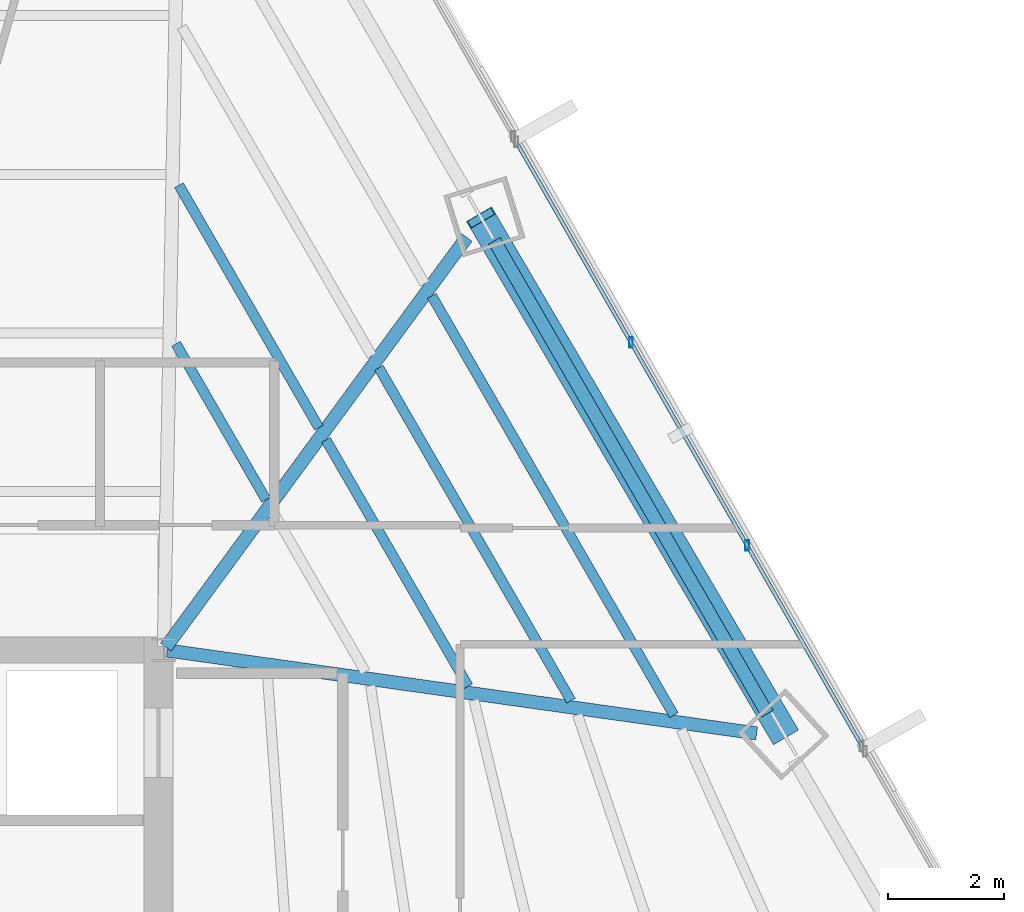
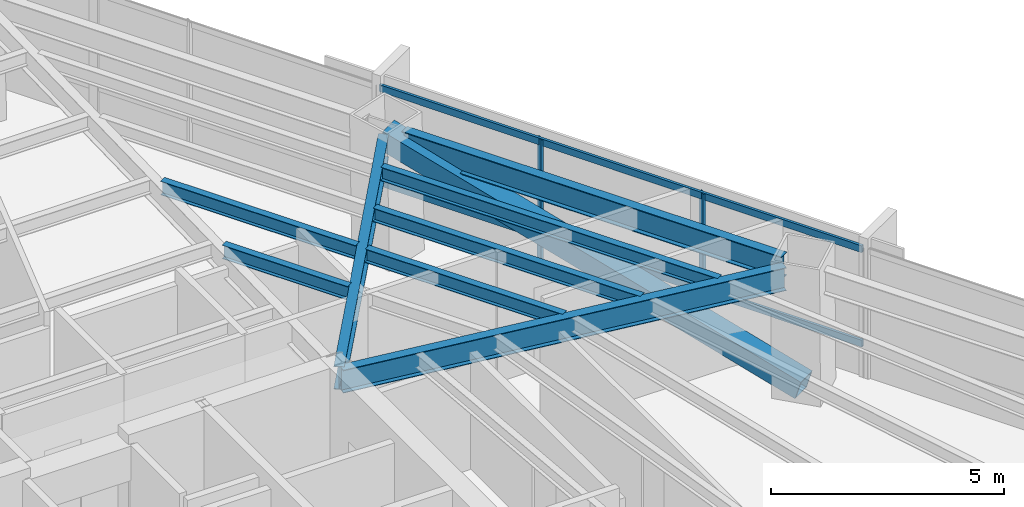
# One storey, part 22 of 35: 8 beams, 5 members, 1 element without a shape of its own.
"""IFC4 building model written with IfcOpenShell, lengths in metres."""

import ifcopenshell
import ifcopenshell.guid

model = None  # the IFC model being written
_history = None  # IfcOwnerHistory: only IFC2X3 demands one
_inside = {}  # id of a spatial element -> (the spatial element, [elements in it])
_under = {}  # id of a project, library or spatial element -> (it, [spatial elements below it])
_declared = {}  # id of a project -> (the project, [libraries it declares])
_typed = {}  # id of a type object -> (the type object, [elements of that type])
_made_of = {}  # id of a material, layer set ... -> (it, [elements and type objects made of it])


def new_model(schema):
    """Start an empty IFC model of exactly this schema.

    Asked for "IFC4X3", IfcOpenShell would pick the latest addendum, in which some entities
    have other attributes; the version numbers below select the first issue.
    IFC2X3 requires an IfcOwnerHistory on every rooted entity: one is made here for all.
    """
    global model, _history
    if schema == "IFC4X3":
        model = ifcopenshell.file(schema_version=(4, 3, 0, 0))
    else:
        model = ifcopenshell.file(schema=schema)
    _inside.clear()
    _under.clear()
    _declared.clear()
    _typed.clear()
    _made_of.clear()
    _history = None
    if model.schema == "IFC2X3":
        org = make("IfcOrganization", Name="unknown")
        user = make(
            "IfcPersonAndOrganization",
            ThePerson=make("IfcPerson", FamilyName="unknown"),
            TheOrganization=org,
        )
        app = make(
            "IfcApplication",
            ApplicationDeveloper=org,
            Version="unknown",
            ApplicationFullName="unknown",
            ApplicationIdentifier="unknown",
        )
        _history = make(
            "IfcOwnerHistory",
            OwningUser=user,
            OwningApplication=app,
            ChangeAction="ADDED",
            CreationDate=0,
        )
    return model


def make(cls, **values):
    """One entity of the class cls with the attributes given. An attribute that is None is left unset."""
    return model.create_entity(
        cls, **{name: value for name, value in values.items() if value is not None}
    )


def rooted(cls, **values):
    """An entity with a GlobalId (a new one), such as an element, a storey or a relation."""
    return make(cls, GlobalId=ifcopenshell.guid.new(), OwnerHistory=_history, **values)


def si_unit(unit_type, name, prefix=None):
    """IfcSIUnit, for example si_unit("LENGTHUNIT", "METRE", prefix="MILLI")."""
    return make("IfcSIUnit", UnitType=unit_type, Prefix=prefix, Name=name)


def assignment(units):
    """IfcUnitAssignment: the units of a project."""
    return None if units is None else make("IfcUnitAssignment", Units=units)


def point(xyz):
    """IfcCartesianPoint."""
    return None if xyz is None else make("IfcCartesianPoint", Coordinates=xyz)


def direction(xyz):
    """IfcDirection."""
    return None if xyz is None else make("IfcDirection", DirectionRatios=xyz)


def frame(location, z_axis=None, x_axis=None):
    """IfcAxis2Placement3D, a coordinate frame: its origin and axes. An axis left out is left unset."""
    return make(
        "IfcAxis2Placement3D",
        Location=point(location),
        Axis=direction(z_axis),
        RefDirection=direction(x_axis),
    )


def frame_2d(location, x_axis=None):
    """IfcAxis2Placement2D, a coordinate frame in the plane: its origin and x axis."""
    return make(
        "IfcAxis2Placement2D", Location=point(location), RefDirection=direction(x_axis)
    )


def origin():
    """The frame at (0, 0, 0) with its axes left unset."""
    return frame((0.0, 0.0, 0.0))


def origin_2d():
    """The frame at (0, 0) in the plane with its x axis left unset."""
    return frame_2d((0.0, 0.0))


def place(relative_to, where):
    """IfcLocalPlacement: puts the frame where relative to a parent placement (None: the world)."""
    return make(
        "IfcLocalPlacement", PlacementRelTo=relative_to, RelativePlacement=where
    )


def context(
    kind, dimensions, precision=None, world=None, true_north=None, identifier=None
):
    """IfcGeometricRepresentationContext, for example the 3D "Model" context."""
    return make(
        "IfcGeometricRepresentationContext",
        ContextIdentifier=identifier,
        ContextType=kind,
        CoordinateSpaceDimension=dimensions,
        Precision=precision,
        WorldCoordinateSystem=world,
        TrueNorth=true_north,
    )


def subcontext(parent, identifier, kind, view, scale=None):
    """IfcGeometricRepresentationSubContext, for example "Body" below "Model"."""
    return make(
        "IfcGeometricRepresentationSubContext",
        ContextIdentifier=identifier,
        ContextType=kind,
        ParentContext=parent,
        TargetScale=scale,
        TargetView=view,
    )


def project(units=None, contexts=None):
    """IfcProject with its units and contexts."""
    return rooted(
        "IfcProject",
        Name="project",
        RepresentationContexts=contexts,
        UnitsInContext=assignment(units),
    )


def spatial(cls, under=None, at=None, **own):
    """A site, building, storey or space (cls), placed at a placement, below another one or the project."""
    s = rooted(cls, ObjectPlacement=at, **own)
    if under is not None:
        _under.setdefault(under.id(), (under, []))[1].append(s)
    return s


def profile(cls, at=None, kind="AREA", **sizes):
    """A parametric profile (cls). Its sizes go by their IFC names, for example OverallWidth=200.0."""
    return make(cls, ProfileType=kind, Position=at, **sizes)


def hollow_rectangle(**sizes):
    """IfcRectangleHollowProfileDef."""
    return profile("IfcRectangleHollowProfileDef", **sizes)


def i_section(**sizes):
    """IfcIShapeProfileDef."""
    return profile("IfcIShapeProfileDef", **sizes)


def extrude(swept, where, along, depth):
    """IfcExtrudedAreaSolid: the profile swept, set in the frame where, extruded along a direction by depth."""
    return make(
        "IfcExtrudedAreaSolid",
        SweptArea=swept,
        Position=where,
        ExtrudedDirection=direction(along),
        Depth=depth,
    )


def shape(context_of_items, identifier, shape_type, items):
    """IfcShapeRepresentation: the items that make up one representation, for example the "Body"."""
    return make(
        "IfcShapeRepresentation",
        ContextOfItems=context_of_items,
        RepresentationIdentifier=identifier,
        RepresentationType=shape_type,
        Items=items,
    )


def source(mapping_origin, context_of_items, identifier, shape_type, items):
    """IfcRepresentationMap: a shape defined once, which mapped items show again and again."""
    return make(
        "IfcRepresentationMap",
        MappingOrigin=mapping_origin,
        MappedRepresentation=shape(context_of_items, identifier, shape_type, items),
    )


def transform(
    local_origin,
    x_axis=None,
    y_axis=None,
    z_axis=None,
    scale=None,
    scale2=None,
    scale3=None,
    uniform=True,
):
    """IfcCartesianTransformationOperator3D, or its non-uniform kind. x_axis, y_axis, z_axis: its Axis1, 2, 3."""
    if uniform:
        return make(
            "IfcCartesianTransformationOperator3D",
            Axis1=direction(x_axis),
            Axis2=direction(y_axis),
            LocalOrigin=point(local_origin),
            Scale=scale,
            Axis3=direction(z_axis),
        )
    return make(
        "IfcCartesianTransformationOperator3DnonUniform",
        Axis1=direction(x_axis),
        Axis2=direction(y_axis),
        LocalOrigin=point(local_origin),
        Scale=scale,
        Axis3=direction(z_axis),
        Scale2=scale2,
        Scale3=scale3,
    )


def mapped(mapping_source, mapping_target):
    """IfcMappedItem: shows the shape of a source again, moved by a transform."""
    return make(
        "IfcMappedItem", MappingSource=mapping_source, MappingTarget=mapping_target
    )


def material(Name=None, Category=None):
    """IfcMaterial."""
    return make("IfcMaterial", Name=Name, Category=Category)


def material_profile(
    of_material, cross_section, Name=None, Category=None, Priority=None
):
    """IfcMaterialProfile: a cross section and its material."""
    return make(
        "IfcMaterialProfile",
        Name=Name,
        Material=of_material,
        Profile=cross_section,
        Priority=Priority,
        Category=Category,
    )


def profile_set(profiles, Name=None, composite=None):
    """IfcMaterialProfileSet."""
    return make(
        "IfcMaterialProfileSet",
        Name=Name,
        MaterialProfiles=profiles,
        CompositeProfile=composite,
    )


def made_of(thing, what):
    """Note that an element or type object is made of a material, layer set ...; save() writes the relation."""
    if what is not None:
        _made_of.setdefault(what.id(), (what, []))[1].append(thing)
    return thing


def type_object(cls, material=None, **own):
    """A type object (cls), such as IfcWallType, which elements share."""
    return made_of(rooted(cls, **own), material)


def type_shapes(of_type, sources):
    """Give a type object the sources (RepresentationMaps) that its elements show as mapped items."""
    of_type.RepresentationMaps = sources


def element(
    cls,
    number,
    at=None,
    inside=None,
    cuts=None,
    type_object=None,
    material=None,
    context=None,
    identifier="Body",
    shape_type=None,
    held_by="IfcProductDefinitionShape",
    body=None,
    shapes=None,
    **own,
):
    """One element of the class cls, such as IfcWall. Its Tag is "e" and its number.

    at: its placement. inside: the storey or other place that contains it. cuts: it is an
    opening in that element (IfcRelVoidsElement). A single representation is given by context,
    identifier, shape_type and body (its items); several are given by shapes. held_by: the class
    of the entity that holds the representations. save() writes the other relations.
    """
    e = rooted(cls, Tag="e%d" % number, ObjectPlacement=at, **own)
    if body is not None:
        shapes = [shape(context, identifier, shape_type, body)]
    if shapes is not None:
        e.Representation = make(held_by, Representations=shapes)
    if inside is not None:
        _inside.setdefault(inside.id(), (inside, []))[1].append(e)
    if cuts is not None:
        rooted(
            "IfcRelVoidsElement", RelatingBuildingElement=cuts, RelatedOpeningElement=e
        )
    if type_object is not None:
        _typed.setdefault(type_object.id(), (type_object, []))[1].append(e)
    return made_of(e, material)


def aggregate(whole, parts):
    """IfcRelAggregates: a whole, such as a stair, and the parts it consists of."""
    return rooted("IfcRelAggregates", RelatingObject=whole, RelatedObjects=parts)


def save(model, path):
    """Write the relations noted so far, then the file.

    IfcRelAggregates (storeys below a building ...), IfcRelContainedInSpatialStructure (elements
    in a storey), IfcRelDefinesByType, IfcRelAssociatesMaterial and IfcRelDeclares: one each for
    every whole, place, type object, material and project.
    """
    for whole, parts in _under.values():
        aggregate(whole, parts)
    for where, things in _inside.values():
        rooted(
            "IfcRelContainedInSpatialStructure",
            RelatedElements=things,
            RelatingStructure=where,
        )
    for kind, things in _typed.values():
        rooted("IfcRelDefinesByType", RelatedObjects=things, RelatingType=kind)
    for what, things in _made_of.values():
        rooted("IfcRelAssociatesMaterial", RelatedObjects=things, RelatingMaterial=what)
    for by, libraries in _declared.values():
        rooted("IfcRelDeclares", RelatingContext=by, RelatedDefinitions=libraries)
    model.write(path)


model = new_model("IFC4")

# Units and contexts
model_context = context("Model", 3, precision=1e-05, world=origin(), true_north=direction((0.0, 1.0)))
body_context = subcontext(model_context, "Body", "Model", "MODEL_VIEW")
ifc_project = project(units=[si_unit("LENGTHUNIT", "METRE"), si_unit("AREAUNIT", "SQUARE_METRE"), si_unit("VOLUMEUNIT", "CUBIC_METRE"), si_unit("PLANEANGLEUNIT", "RADIAN"), si_unit("MASSUNIT", "GRAM", prefix="KILO")], contexts=[model_context])

# Site, building, storey
site_placement = place(None, origin())
site = spatial("IfcSite", under=ifc_project, at=site_placement, CompositionType="ELEMENT")
building_placement = place(site_placement, origin())
building = spatial("IfcBuilding", under=site, at=building_placement, Name="Caelisora Broadcast Tower", CompositionType="ELEMENT")
storey_placement = place(building_placement, frame((0.0, 0.0, 87.14990234375)))
storey = spatial("IfcBuildingStorey", under=building, at=storey_placement, Name="L22", CompositionType="ELEMENT", Elevation=87.14990234375)

# Beams
ifc_material_1 = material(Name="Steel Grade 350 (AS/NZS 3679.1)", Category="steel")
ifc_material_profile_1 = material_profile(ifc_material_1, i_section(OverallWidth=0.22900390625, OverallDepth=0.611572265625, WebThickness=0.011962890625, FlangeThickness=0.01953125, at=origin_2d()), Name="Steel Grade 350 (AS/NZS 3679.1)")
ifc_profile_set_1 = profile_set([ifc_material_profile_1], Name="Steel Grade 350 (AS/NZS 3679.1)")
beam_type_1 = type_object("IfcBeamType", Name="PG03", PredefinedType="BEAM", material=ifc_profile_set_1)
shared_shape_1 = source(origin(), body_context, "Body", "SweptSolid", [
    extrude(i_section(OverallWidth=0.22900390625, OverallDepth=0.611572265625, WebThickness=0.011962890625, FlangeThickness=0.01953125, at=origin_2d()), origin(), (0.0, 0.0, 1.0), 9.40234375),
])
type_shapes(beam_type_1, [shared_shape_1])
beam_1_placement = place(storey_placement, frame((55.894287109375, 28.90283203125, 3.09423828125), z_axis=(-0.500004164094, 0.86602299963, 0.0), x_axis=(-0.86602299963, -0.500004164094, 0.0)))
element("IfcBeam", 1, at=beam_1_placement, inside=storey, type_object=beam_type_1, Name="L22 beam PG03", PredefinedType="BEAM", context=body_context, shape_type="MappedRepresentation", body=[
    mapped(shared_shape_1, transform((0.0, 0.0, 0.0), scale=1.0)),
])
ifc_material_profile_2 = material_profile(ifc_material_1, i_section(OverallWidth=0.22802734375, OverallDepth=0.602294921875, WebThickness=0.010498046875, FlangeThickness=0.014892578125, at=origin_2d()), Name="Steel Grade 350 (AS/NZS 3679.1)")
ifc_profile_set_2 = profile_set([ifc_material_profile_2], Name="Steel Grade 350 (AS/NZS 3679.1)")
beam_type_2 = type_object("IfcBeamType", Name="PG04", PredefinedType="BEAM", material=ifc_profile_set_2)
shared_shape_2 = source(origin(), body_context, "Body", "SweptSolid", [
    extrude(i_section(OverallWidth=0.22802734375, OverallDepth=0.602294921875, WebThickness=0.010498046875, FlangeThickness=0.014892578125, at=origin_2d()), origin(), (0.0, 0.0, 1.0), 8.75341796875),
])
beam_2_placement = place(storey_placement, frame((45.535400390625, 30.04833984375, 3.098876953125), z_axis=(0.591671948963, 0.8061788293, 0.0), x_axis=(-0.8061788293, 0.591671948963, 0.0)))
element("IfcBeam", 2, at=beam_2_placement, inside=storey, type_object=beam_type_2, Name="L22 beam PG04", PredefinedType="BEAM", context=body_context, shape_type="MappedRepresentation", body=[
    mapped(shared_shape_2, transform((0.0, 0.0, 0.0), scale=1.0)),
])
shared_shape_3 = source(origin(), body_context, "Body", "SweptSolid", [
    extrude(i_section(OverallWidth=0.22802734375, OverallDepth=0.602294921875, WebThickness=0.010498046875, FlangeThickness=0.014892578125, at=origin_2d()), origin(), (0.0, 0.0, 1.0), 10.2490234375),
])
type_shapes(beam_type_2, [shared_shape_2, shared_shape_3])
beam_3_placement = place(storey_placement, frame((45.559326171875, 29.99169921875, 3.098876953125), z_axis=(0.990236140465, -0.139400093673, 0.0), x_axis=(0.139400093673, 0.990236140465, 0.0)))
element("IfcBeam", 3, at=beam_3_placement, inside=storey, type_object=beam_type_2, Name="L22 beam PG04", PredefinedType="BEAM", context=body_context, shape_type="MappedRepresentation", body=[
    mapped(shared_shape_3, transform((0.0, 0.0, 0.0), scale=1.0)),
])
ifc_material_profile_3 = material_profile(ifc_material_1, i_section(OverallWidth=0.172119140625, OverallDepth=0.358642578125, WebThickness=0.008056640625, FlangeThickness=0.012939453125, at=origin_2d()), Name="Steel Grade 350 (AS/NZS 3679.1)")
ifc_profile_set_3 = profile_set([ifc_material_profile_3], Name="Steel Grade 350 (AS/NZS 3679.1)")
beam_type_3 = type_object("IfcBeamType", Name="SB02", PredefinedType="JOIST", material=ifc_profile_set_3)
shared_shape_4 = source(origin(), body_context, "Body", "SweptSolid", [
    extrude(i_section(OverallWidth=0.172119140625, OverallDepth=0.358642578125, WebThickness=0.008056640625, FlangeThickness=0.012939453125, at=origin_2d()), origin(), (0.0, 0.0, 1.0), 3.101318359375),
])
beam_4_placement = place(storey_placement, frame((47.26025390625, 32.58642578125, 3.220703125), z_axis=(-0.499974592989, 0.866040072032, 0.0), x_axis=(-0.866040072032, -0.499974592989, 0.0)))
element("IfcBeam", 4, at=beam_4_placement, inside=storey, type_object=beam_type_3, Name="L22 beam SB02", PredefinedType="JOIST", context=body_context, shape_type="MappedRepresentation", body=[
    mapped(shared_shape_4, transform((0.0, 0.0, 0.0), scale=1.0)),
])
shared_shape_5 = source(origin(), body_context, "Body", "SweptSolid", [
    extrude(i_section(OverallWidth=0.172119140625, OverallDepth=0.358642578125, WebThickness=0.008056640625, FlangeThickness=0.012939453125, at=origin_2d()), origin(), (0.0, 0.0, 1.0), 4.821533203125),
])
beam_5_placement = place(storey_placement, frame((48.170654296875, 33.8271484375, 3.220703125), z_axis=(-0.49998398663, 0.86603464891, 0.0), x_axis=(-0.86603464891, -0.49998398663, 0.0)))
element("IfcBeam", 5, at=beam_5_placement, inside=storey, type_object=beam_type_3, Name="L22 beam SB02", PredefinedType="JOIST", context=body_context, shape_type="MappedRepresentation", body=[
    mapped(shared_shape_5, transform((0.0, 0.0, 0.0), scale=1.0)),
])
shared_shape_6 = source(origin(), body_context, "Body", "SweptSolid", [
    extrude(i_section(OverallWidth=0.172119140625, OverallDepth=0.358642578125, WebThickness=0.008056640625, FlangeThickness=0.012939453125, at=origin_2d()), origin(), (0.0, 0.0, 1.0), 4.89794921875),
])
beam_6_placement = place(storey_placement, frame((50.7412109375, 29.375, 3.220703125), z_axis=(-0.500004352405, 0.866022890907, 0.0), x_axis=(-0.866022890907, -0.500004352405, 0.0)))
element("IfcBeam", 6, at=beam_6_placement, inside=storey, type_object=beam_type_3, Name="L22 beam SB02", PredefinedType="JOIST", context=body_context, shape_type="MappedRepresentation", body=[
    mapped(shared_shape_6, transform((0.0, 0.0, 0.0), scale=1.0)),
])
shared_shape_7 = source(origin(), body_context, "Body", "SweptSolid", [
    extrude(i_section(OverallWidth=0.172119140625, OverallDepth=0.358642578125, WebThickness=0.008056640625, FlangeThickness=0.012939453125, at=origin_2d()), origin(), (0.0, 0.0, 1.0), 6.61865234375),
])
beam_7_placement = place(storey_placement, frame((52.511962890625, 29.12548828125, 3.220703125), z_axis=(-0.499971514742, 0.866041849131, 0.0), x_axis=(-0.866041849131, -0.499971514742, 0.0)))
element("IfcBeam", 7, at=beam_7_placement, inside=storey, type_object=beam_type_3, Name="L22 beam SB02", PredefinedType="JOIST", context=body_context, shape_type="MappedRepresentation", body=[
    mapped(shared_shape_7, transform((0.0, 0.0, 0.0), scale=1.0)),
])
shared_shape_8 = source(origin(), body_context, "Body", "SweptSolid", [
    extrude(i_section(OverallWidth=0.172119140625, OverallDepth=0.358642578125, WebThickness=0.008056640625, FlangeThickness=0.012939453125, at=origin_2d()), origin(), (0.0, 0.0, 1.0), 8.338623046875),
])
type_shapes(beam_type_3, [shared_shape_4, shared_shape_5, shared_shape_6, shared_shape_7, shared_shape_8])
beam_8_placement = place(storey_placement, frame((54.28271484375, 28.87646484375, 3.220703125), z_axis=(-0.50001221745, 0.866018349921, 0.0), x_axis=(-0.866018349921, -0.50001221745, 0.0)))
element("IfcBeam", 8, at=beam_8_placement, inside=storey, type_object=beam_type_3, Name="L22 beam SB02", PredefinedType="JOIST", context=body_context, shape_type="MappedRepresentation", body=[
    mapped(shared_shape_8, transform((0.0, 0.0, 0.0), scale=1.0)),
])

# Member
ifc_material_2 = material(Name="Steel Grade 450 L15 (AS/NZS 3678)", Category="steel")
ifc_material_profile_4 = material_profile(ifc_material_2, hollow_rectangle(XDim=0.5, YDim=0.5, WallThickness=0.02001953125, at=origin_2d()), Name="Steel Grade 450 L15 (AS/NZS 3678)")
ifc_profile_set_4 = profile_set([ifc_material_profile_4], Name="Steel Grade 450 L15 (AS/NZS 3678)")
member_type_1 = type_object("IfcMemberType", Name="BR02", PredefinedType="BRACE", material=ifc_profile_set_4)
shared_shape_9 = source(origin(), body_context, "Body", "SweptSolid", [
    extrude(hollow_rectangle(XDim=0.5, YDim=0.5, WallThickness=0.02001953125, at=origin_2d()), origin(), (0.0, 0.0, 1.0), 10.734130859375),
])
type_shapes(member_type_1, [shared_shape_9])
member_1_placement = place(storey_placement, frame((56.1787109375, 28.5546875, 0.10009765625), z_axis=(-0.48590907619, 0.828119709047, 0.279481872693), x_axis=(-0.862489062637, -0.506075702669, 0.0)))
element("IfcMember", 9, at=member_1_placement, inside=storey, type_object=member_type_1, Name="L22 perimeter brace BR02", PredefinedType="BRACE", context=body_context, shape_type="MappedRepresentation", body=[
    mapped(shared_shape_9, transform((0.0, 0.0, 0.0), scale=1.0)),
])

# Curtain wall, members
ifc_material_3 = material(Name="Unitised Aluminium Insulated Shadow-Box Spandrel Curtain Wall", Category="aluminium")
curtain_wall_type = type_object("IfcCurtainWallType", Name="CW-SP1", PredefinedType="NOTDEFINED", material=ifc_material_3)
curtain_wall_placement = place(storey_placement, origin())
curtain_wall = element("IfcCurtainWall", 10, at=curtain_wall_placement, inside=storey, type_object=curtain_wall_type, Name="L22 curtain wall CW-SP1", PredefinedType="NOTDEFINED")
ifc_material_4 = material(Name="Aluminium 6063-T6 Anodised Terracotta Bronze", Category="aluminium")
ifc_material_profile_5 = material_profile(ifc_material_4, hollow_rectangle(XDim=0.06494140625, YDim=0.179931640625, WallThickness=0.00341796875, at=origin_2d()), Name="Aluminium 6063-T6 Anodised Terracotta Bronze")
ifc_profile_set_5 = profile_set([ifc_material_profile_5], Name="Aluminium 6063-T6 Anodised Terracotta Bronze")
member_type_2 = type_object("IfcMemberType", Name="CWM-02", PredefinedType="MULLION", material=ifc_profile_set_5)
shared_shape_10 = source(origin(), body_context, "Body", "SweptSolid", [
    extrude(hollow_rectangle(XDim=0.06494140625, YDim=0.179931640625, WallThickness=0.00341796875, at=origin_2d()), origin(), (0.0, 0.0, 1.0), 3.400146484375),
])
type_shapes(member_type_2, [shared_shape_10])
member_2_placement = place(storey_placement, frame((53.545654296875, 35.294921875, 0.0), z_axis=(0.0, 0.0, 1.0), x_axis=(1.0, 0.0, 0.0)))
member_2 = element("IfcMember", 11, at=member_2_placement, type_object=member_type_2, Name="L22-CW-B02 mullion #1", PredefinedType="MULLION", context=body_context, shape_type="MappedRepresentation", body=[
    mapped(shared_shape_10, transform((0.0, 0.0, 0.0), scale=1.0)),
])
member_3_placement = place(storey_placement, frame((55.544921875, 31.800048828125, 0.0), z_axis=(0.0, 0.0, 1.0), x_axis=(1.0, 0.0, 0.0)))
member_3 = element("IfcMember", 12, at=member_3_placement, type_object=member_type_2, Name="L22-CW-B02 mullion #2", PredefinedType="MULLION", context=body_context, shape_type="MappedRepresentation", body=[
    mapped(shared_shape_10, transform((0.0, 0.0, 0.0), scale=1.0)),
])
ifc_material_profile_6 = material_profile(ifc_material_4, hollow_rectangle(XDim=0.06494140625, YDim=0.179931640625, WallThickness=0.00341796875, at=origin_2d()), Name="Aluminium 6063-T6 Anodised Terracotta Bronze")
ifc_profile_set_6 = profile_set([ifc_material_profile_6], Name="Aluminium 6063-T6 Anodised Terracotta Bronze")
member_type_3 = type_object("IfcMemberType", Name="CWT-01", PredefinedType="USERDEFINED", material=ifc_profile_set_6)
shared_shape_11 = source(origin(), body_context, "Body", "SweptSolid", [
    extrude(hollow_rectangle(XDim=0.06494140625, YDim=0.179931640625, WallThickness=0.00341796875, at=origin_2d()), origin(), (0.0, 0.0, 1.0), 11.9794921875),
])
type_shapes(member_type_3, [shared_shape_11])
member_4_placement = place(storey_placement, frame((51.571044921875, 38.74658203125, 0.85009765625), z_axis=(0.49655808093, -0.86800349784, 0.0), x_axis=(0.86800349784, 0.49655808093, 0.0)))
member_4 = element("IfcMember", 13, at=member_4_placement, type_object=member_type_3, Name="L22-CW-B02 transom #1", ObjectType="TRANSOM", PredefinedType="USERDEFINED", context=body_context, shape_type="MappedRepresentation", body=[
    mapped(shared_shape_11, transform((0.0, 0.0, 0.0), scale=1.0)),
])
member_5_placement = place(storey_placement, frame((51.571044921875, 38.74658203125, 3.320068359375), z_axis=(0.49655808093, -0.86800349784, 0.0), x_axis=(0.86800349784, 0.49655808093, 0.0)))
member_5 = element("IfcMember", 14, at=member_5_placement, type_object=member_type_3, Name="L22-CW-B02 transom #2", ObjectType="TRANSOM", PredefinedType="USERDEFINED", context=body_context, shape_type="MappedRepresentation", body=[
    mapped(shared_shape_11, transform((0.0, 0.0, 0.0), scale=1.0)),
])
aggregate(curtain_wall, [member_2, member_3, member_4, member_5])

save(model, "model.ifc")
